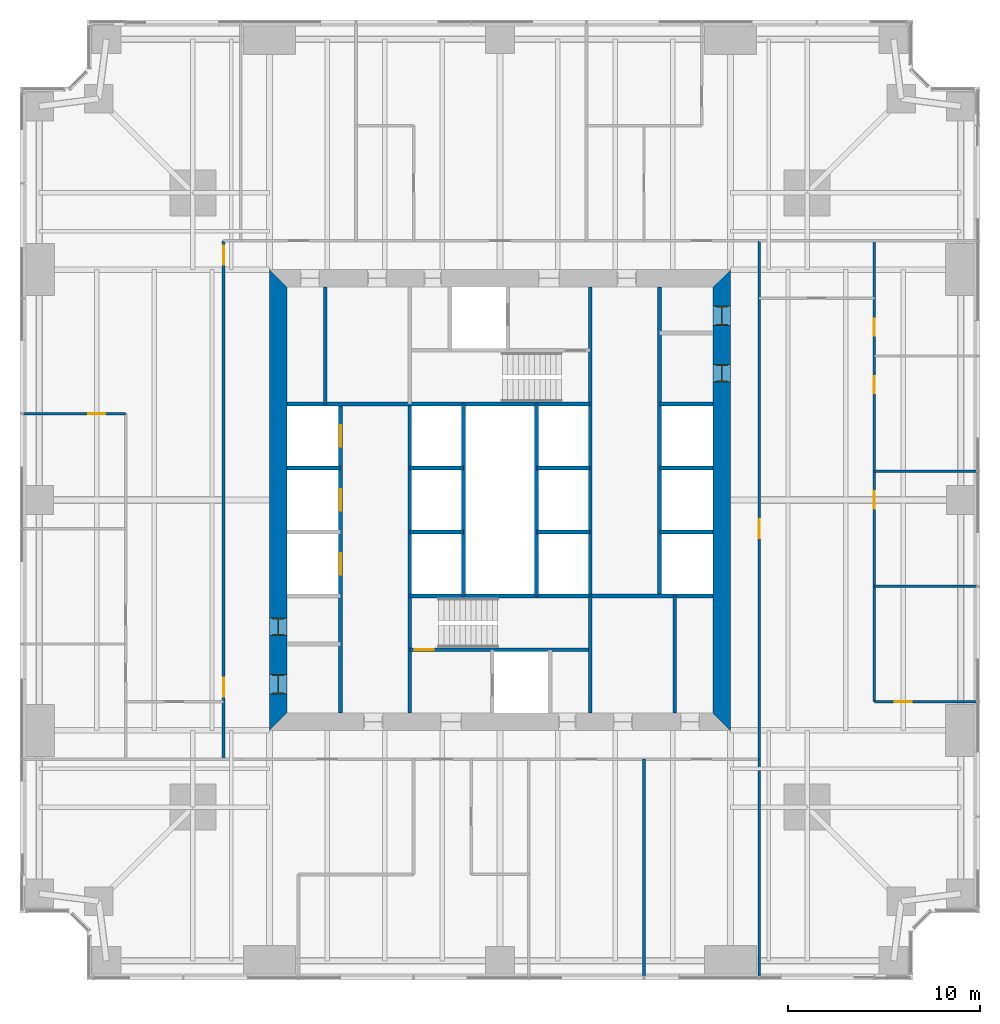
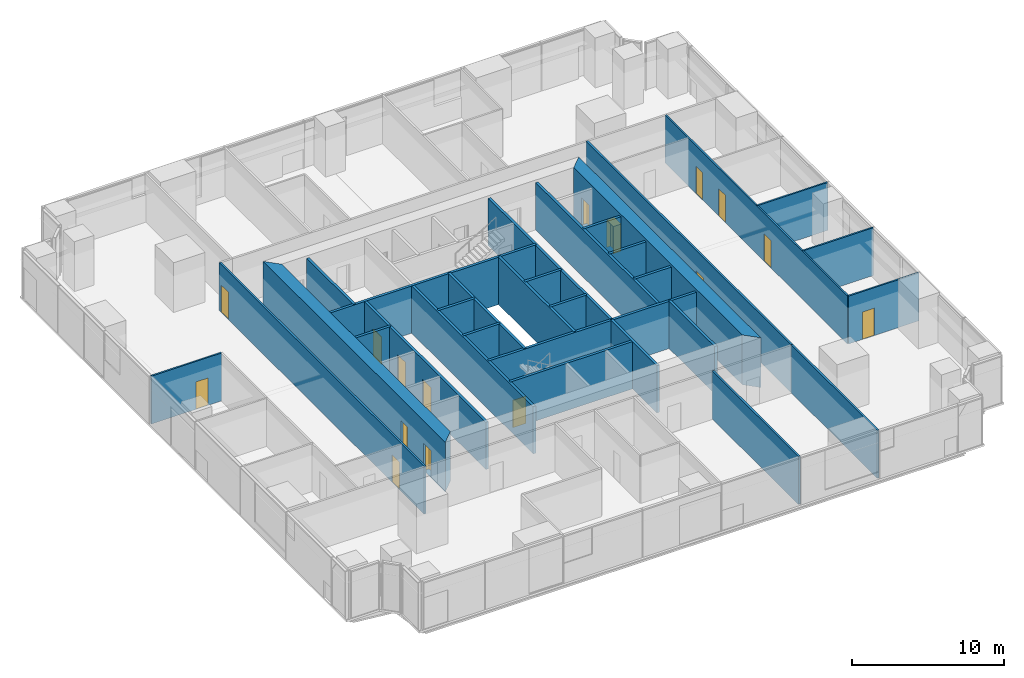
# One storey, part 10 of 14: 31 walls, 16 doors, 16 openings.
"""IFC4 building model written with IfcOpenShell, lengths in metres."""

from ifc_helpers import new_model, si_unit, direction, frame, frame_2d, origin, place, context, subcontext, project, spatial, polyline, rectangle, outline, extrude, material, layer, layer_set, type_object, element, fill, save


model = new_model("IFC4")

# Units and contexts
model_context = context("Model", 3, precision=1e-05, world=origin(), true_north=direction((0.0, 1.0)))
body_context = subcontext(model_context, "Body", "Model", "MODEL_VIEW")
ifc_project = project(units=[si_unit("LENGTHUNIT", "METRE"), si_unit("AREAUNIT", "SQUARE_METRE"), si_unit("VOLUMEUNIT", "CUBIC_METRE"), si_unit("PLANEANGLEUNIT", "RADIAN"), si_unit("MASSUNIT", "GRAM", prefix="KILO")], contexts=[model_context])

# Site, building, storey
site_placement = place(None, origin())
site = spatial("IfcSite", under=ifc_project, at=site_placement, CompositionType="ELEMENT")
building_placement = place(site_placement, origin())
building = spatial("IfcBuilding", under=site, at=building_placement, Name="Fenwick Lantern Interchange", CompositionType="ELEMENT")
storey_placement = place(building_placement, frame((0.0, 0.0, 35.0)))
storey = spatial("IfcBuildingStorey", under=building, at=storey_placement, Name="L07", CompositionType="ELEMENT", Elevation=35.0)

# Wall, openings, doors
ifc_material_1 = material(Name="Concrete masonry ASTM C90 Grade N", Category="masonry")
ifc_layer_1 = layer(ifc_material_1, 0.199951171875)
ifc_layer_set_1 = layer_set([ifc_layer_1], Name="Concrete masonry ASTM C90 Grade N")
wall_type_1 = type_object("IfcWallType", Name="CORE PARTITION 200", PredefinedType="PARTITIONING", material=ifc_layer_set_1)
wall_1_placement = place(storey_placement, frame((16.699951171875, 13.89990234375, 0.0), z_axis=(0.0, 0.0, 1.0), x_axis=(0.0, 1.0, 0.0)))
wall_1 = element("IfcWall", 1, at=wall_1_placement, inside=storey, type_object=wall_type_1, Name="L07/W/CORES/a", PredefinedType="PARTITIONING", context=body_context, shape_type="SweptSolid", body=[
    extrude(rectangle(XDim=16.10009765625, YDim=0.199951171875, at=frame_2d((8.050048828125, 0.0))), origin(), (0.0, 0.0, 1.0), 3.800048828125),
])
opening_1_placement = place(wall_1_placement, frame((7.216552734375, 0.0, 0.0)))
opening_1 = element("IfcOpeningElement", 2, at=opening_1_placement, cuts=wall_1, Name="Opening LD-W1-1", PredefinedType="OPENING", context=body_context, shape_type="SweptSolid", body=[
    extrude(rectangle(XDim=1.10009765625, YDim=2.199951171875, at=frame_2d((0.550048828125, 1.10009765625))), frame((0.0, 0.10986328125, 0.0), z_axis=(0.0, -1.0, 0.0), x_axis=(1.0, 0.0, 0.0)), (0.0, 0.0, 1.0), 0.219970703125),
])
opening_2_placement = place(wall_1_placement, frame((10.550048828125, 0.0, 0.0)))
opening_2 = element("IfcOpeningElement", 3, at=opening_2_placement, cuts=wall_1, Name="Opening LD-W1-2", PredefinedType="OPENING", context=body_context, shape_type="SweptSolid", body=[
    extrude(rectangle(XDim=1.10009765625, YDim=2.199951171875, at=frame_2d((0.550048828125, 1.10009765625))), frame((0.0, 0.10986328125, 0.0), z_axis=(0.0, -1.0, 0.0), x_axis=(1.0, 0.0, 0.0)), (0.0, 0.0, 1.0), 0.219970703125),
])
opening_3_placement = place(wall_1_placement, frame((13.88330078125, 0.0, 0.0)))
opening_3 = element("IfcOpeningElement", 4, at=opening_3_placement, cuts=wall_1, Name="Opening LD-W1-3", PredefinedType="OPENING", context=body_context, shape_type="SweptSolid", body=[
    extrude(rectangle(XDim=1.10009765625, YDim=2.199951171875, at=frame_2d((0.550048828125, 1.10009765625))), frame((0.0, 0.10986328125, 0.0), z_axis=(0.0, -1.0, 0.0), x_axis=(1.0, 0.0, 0.0)), (0.0, 0.0, 1.0), 0.219970703125),
])
ifc_material_2 = material(Name="Steel door and frame", Category="steel")
door_type_1 = type_object("IfcDoorType", Name="LIFT LANDING DOOR 1100 X 2200", OperationType="DOUBLE_DOOR_SLIDING", PredefinedType="DOOR", material=ifc_material_2)
door_1_placement = place(opening_1_placement, origin())
door_1 = element("IfcDoor", 5, at=door_1_placement, inside=storey, type_object=door_type_1, Name="Lift landing door W1-1", OperationType="DOUBLE_DOOR_SLIDING", OverallHeight=2.199951171875, OverallWidth=1.10009765625, PredefinedType="DOOR", context=body_context, shape_type="SweptSolid", body=[
    extrude(rectangle(XDim=1.10009765625, YDim=2.199951171875, at=frame_2d((0.550048828125, 1.10009765625))), frame((0.0, 0.02490234375, 0.0), z_axis=(0.0, -1.0, 0.0), x_axis=(1.0, 0.0, 0.0)), (0.0, 0.0, 1.0), 0.050048828125),
])
fill(opening_1, door_1)
door_2_placement = place(opening_2_placement, origin())
door_2 = element("IfcDoor", 6, at=door_2_placement, inside=storey, type_object=door_type_1, Name="Lift landing door W1-2", OperationType="DOUBLE_DOOR_SLIDING", OverallHeight=2.199951171875, OverallWidth=1.10009765625, PredefinedType="DOOR", context=body_context, shape_type="SweptSolid", body=[
    extrude(rectangle(XDim=1.10009765625, YDim=2.199951171875, at=frame_2d((0.550048828125, 1.10009765625))), frame((0.0, 0.02490234375, 0.0), z_axis=(0.0, -1.0, 0.0), x_axis=(1.0, 0.0, 0.0)), (0.0, 0.0, 1.0), 0.050048828125),
])
fill(opening_2, door_2)
door_3_placement = place(opening_3_placement, origin())
door_3 = element("IfcDoor", 7, at=door_3_placement, inside=storey, type_object=door_type_1, Name="Lift landing door W1-3", OperationType="DOUBLE_DOOR_SLIDING", OverallHeight=2.199951171875, OverallWidth=1.10009765625, PredefinedType="DOOR", context=body_context, shape_type="SweptSolid", body=[
    extrude(rectangle(XDim=1.10009765625, YDim=2.199951171875, at=frame_2d((0.550048828125, 1.10009765625))), frame((0.0, 0.02490234375, 0.0), z_axis=(0.0, -1.0, 0.0), x_axis=(1.0, 0.0, 0.0)), (0.0, 0.0, 1.0), 0.050048828125),
])
fill(opening_3, door_3)

# Walls
for number, where, z_axis, x_axis, name in (
    (8, (13.89990234375, 26.666748046875, 0.0), (0.0, 0.0, 1.0), (1.0, 0.0, 0.0), "L07/W/CORES/d2"),
    (9, (20.300048828125, 23.333251953125, 0.0), (0.0, 0.0, 1.0), (1.0, 0.0, 0.0), "L07/W/CORES/e1"),
    (10, (20.300048828125, 26.666748046875, 0.0), (0.0, 0.0, 1.0), (1.0, 0.0, 0.0), "L07/W/CORES/e2"),
):
    element("IfcWall", number, at=place(storey_placement, frame(where, z_axis=z_axis, x_axis=x_axis)), inside=storey, type_object=wall_type_1, Name=name, PredefinedType="PARTITIONING", context=body_context, shape_type="SweptSolid", body=[
        extrude(rectangle(XDim=2.800048828125, YDim=0.199951171875, at=frame_2d((1.39990234375, 0.0))), origin(), (0.0, 0.0, 1.0), 3.800048828125),
    ])
wall_2_placement = place(storey_placement, frame((23.10009765625, 20.0, 0.0), z_axis=(0.0, 0.0, 1.0), x_axis=(0.0, 1.0, 0.0)))
element("IfcWall", 11, at=wall_2_placement, inside=storey, type_object=wall_type_1, Name="L07/W/CORES/e3", PredefinedType="PARTITIONING", context=body_context, shape_type="SweptSolid", body=[
    extrude(rectangle(XDim=10.0, YDim=0.199951171875, at=frame_2d((5.0, 0.0))), origin(), (0.0, 0.0, 1.0), 3.800048828125),
])
wall_3_placement = place(storey_placement, frame((34.10009765625, 13.89990234375, 0.0), z_axis=(0.0, 0.0, 1.0), x_axis=(0.0, 1.0, 0.0)))
element("IfcWall", 12, at=wall_3_placement, inside=storey, type_object=wall_type_1, Name="L07/W/CORES/i2", PredefinedType="PARTITIONING", context=body_context, shape_type="SweptSolid", body=[
    extrude(rectangle(XDim=6.10009765625, YDim=0.199951171875, at=frame_2d((3.050048828125, 0.0))), origin(), (0.0, 0.0, 1.0), 3.800048828125),
])
wall_4_placement = place(storey_placement, frame((33.300048828125, 36.10009765625, 0.0), z_axis=(0.0, 0.0, 1.0), x_axis=(0.0, -1.0, 0.0)))
element("IfcWall", 13, at=wall_4_placement, inside=storey, type_object=wall_type_1, Name="L07/W/COREN/a", PredefinedType="PARTITIONING", context=body_context, shape_type="SweptSolid", body=[
    extrude(rectangle(XDim=16.10009765625, YDim=0.199951171875, at=frame_2d((8.050048828125, 0.0))), origin(), (0.0, 0.0, 1.0), 3.800048828125),
])
for number, where, z_axis, x_axis, name in (
    (14, (36.10009765625, 30.0, 0.0), (0.0, 0.0, 1.0), (-1.0, 0.0, 0.0), "L07/W/COREN/c2"),
    (15, (36.10009765625, 26.666748046875, 0.0), (0.0, 0.0, 1.0), (-1.0, 0.0, 0.0), "L07/W/COREN/d1"),
    (16, (36.10009765625, 23.333251953125, 0.0), (0.0, 0.0, 1.0), (-1.0, 0.0, 0.0), "L07/W/COREN/d2"),
    (17, (29.699951171875, 26.666748046875, 0.0), (0.0, 0.0, 1.0), (-1.0, 0.0, 0.0), "L07/W/COREN/e1"),
    (18, (29.699951171875, 23.333251953125, 0.0), (0.0, 0.0, 1.0), (-1.0, 0.0, 0.0), "L07/W/COREN/e2"),
):
    element("IfcWall", number, at=place(storey_placement, frame(where, z_axis=z_axis, x_axis=x_axis)), inside=storey, type_object=wall_type_1, Name=name, PredefinedType="PARTITIONING", context=body_context, shape_type="SweptSolid", body=[
        extrude(rectangle(XDim=2.800048828125, YDim=0.199951171875, at=frame_2d((1.39990234375, 0.0))), origin(), (0.0, 0.0, 1.0), 3.800048828125),
    ])
wall_5_placement = place(storey_placement, frame((26.89990234375, 30.0, 0.0), z_axis=(0.0, 0.0, 1.0), x_axis=(0.0, -1.0, 0.0)))
element("IfcWall", 19, at=wall_5_placement, inside=storey, type_object=wall_type_1, Name="L07/W/COREN/e3", PredefinedType="PARTITIONING", context=body_context, shape_type="SweptSolid", body=[
    extrude(rectangle(XDim=10.0, YDim=0.199951171875, at=frame_2d((5.0, 0.0))), origin(), (0.0, 0.0, 1.0), 3.800048828125),
])
wall_6_placement = place(storey_placement, frame((15.89990234375, 36.10009765625, 0.0), z_axis=(0.0, 0.0, 1.0), x_axis=(0.0, -1.0, 0.0)))
element("IfcWall", 20, at=wall_6_placement, inside=storey, type_object=wall_type_1, Name="L07/W/COREN/i2", PredefinedType="PARTITIONING", context=body_context, shape_type="SweptSolid", body=[
    extrude(rectangle(XDim=6.10009765625, YDim=0.199951171875, at=frame_2d((3.050048828125, 0.0))), origin(), (0.0, 0.0, 1.0), 3.800048828125),
])

# Wall, openings, doors
ifc_material_3 = material(Name="Concrete f'c 70 MPa", Category="concrete")
ifc_layer_2 = layer(ifc_material_3, 0.89990234375)
ifc_layer_set_2 = layer_set([ifc_layer_2], Name="CORE WALL 900")
wall_type_2 = type_object("IfcWallType", Name="CORE WALL 900", PredefinedType="SHEAR", material=ifc_layer_set_2)
wall_7_placement = place(storey_placement, frame((36.550048828125, 13.89990234375, 0.0), z_axis=(0.0, 0.0, 1.0), x_axis=(0.0, 1.0, 0.0)))
wall_7 = element("IfcWall", 21, at=wall_7_placement, inside=storey, type_object=wall_type_2, Name="L07/CORE/E", PredefinedType="SHEAR", context=body_context, shape_type="SweptSolid", body=[
    extrude(outline(polyline([(-0.89990234375, -0.449951171875), (23.10009765625, -0.449951171875), (22.199951171875, 0.449951171875), (0.0, 0.449951171875), (-0.89990234375, -0.449951171875)])), origin(), (0.0, 0.0, 1.0), 4.0),
])
opening_4_placement = place(wall_7_placement, frame((20.199951171875, 0.0, 0.0)))
opening_4 = element("IfcOpeningElement", 22, at=opening_4_placement, cuts=wall_7, Name="Opening L07-D015", PredefinedType="OPENING", context=body_context, shape_type="SweptSolid", body=[
    extrude(rectangle(XDim=1.0, YDim=2.199951171875, at=frame_2d((0.5, 1.10009765625))), frame((0.0, 0.4599609375, 0.0), z_axis=(0.0, -1.0, 0.0), x_axis=(1.0, 0.0, 0.0)), (0.0, 0.0, 1.0), 0.919921875),
])
opening_5_placement = place(wall_7_placement, frame((17.25, 0.0, 0.0)))
opening_5 = element("IfcOpeningElement", 23, at=opening_5_placement, cuts=wall_7, Name="Opening L07-D016", PredefinedType="OPENING", context=body_context, shape_type="SweptSolid", body=[
    extrude(rectangle(XDim=0.89990234375, YDim=2.199951171875, at=frame_2d((0.449951171875, 1.10009765625))), frame((0.0, 0.4599609375, 0.0), z_axis=(0.0, -1.0, 0.0), x_axis=(1.0, 0.0, 0.0)), (0.0, 0.0, 1.0), 0.919921875),
])
door_type_2 = type_object("IfcDoorType", Name="SERVICE DOOR 1000 X 2200", OperationType="SINGLE_SWING_LEFT", PredefinedType="DOOR", material=ifc_material_2)
door_4_placement = place(opening_4_placement, origin())
door_4 = element("IfcDoor", 24, at=door_4_placement, inside=storey, type_object=door_type_2, Name="Service door", OperationType="SINGLE_SWING_LEFT", OverallHeight=2.199951171875, OverallWidth=1.0, PredefinedType="DOOR", context=body_context, shape_type="SweptSolid", body=[
    extrude(rectangle(XDim=1.0, YDim=2.199951171875, at=frame_2d((0.5, 1.10009765625))), frame((0.0, 0.02490234375, 0.0), z_axis=(0.0, -1.0, 0.0), x_axis=(1.0, 0.0, 0.0)), (0.0, 0.0, 1.0), 0.050048828125),
    extrude(outline(polyline([(0.0, 0.0), (0.0400390625, 0.0), (0.0400390625, 2.159912109375), (0.9599609375, 2.159912109375), (0.9599609375, 0.0), (1.0, 0.0), (1.0, 2.199951171875), (0.0, 2.199951171875), (0.0, 0.0)])), frame((0.0, 0.300048828125, 0.0), z_axis=(0.0, -1.0, 0.0), x_axis=(1.0, 0.0, 0.0)), (0.0, 0.0, 1.0), 0.60009765625),
])
fill(opening_4, door_4)
door_type_3 = type_object("IfcDoorType", Name="SERVICE DOOR 900 X 2200", OperationType="SINGLE_SWING_LEFT", PredefinedType="DOOR", material=ifc_material_2)
door_5_placement = place(opening_5_placement, origin())
door_5 = element("IfcDoor", 25, at=door_5_placement, inside=storey, type_object=door_type_3, Name="Service door", OperationType="SINGLE_SWING_LEFT", OverallHeight=2.199951171875, OverallWidth=0.89990234375, PredefinedType="DOOR", context=body_context, shape_type="SweptSolid", body=[
    extrude(rectangle(XDim=0.89990234375, YDim=2.199951171875, at=frame_2d((0.449951171875, 1.10009765625))), frame((0.0, 0.02490234375, 0.0), z_axis=(0.0, -1.0, 0.0), x_axis=(1.0, 0.0, 0.0)), (0.0, 0.0, 1.0), 0.050048828125),
    extrude(outline(polyline([(0.0, 0.0), (0.0400390625, 0.0), (0.0400390625, 2.159912109375), (0.85986328125, 2.159912109375), (0.85986328125, 0.0), (0.89990234375, 0.0), (0.89990234375, 2.199951171875), (0.0, 2.199951171875), (0.0, 0.0)])), frame((0.0, 0.300048828125, 0.0), z_axis=(0.0, -1.0, 0.0), x_axis=(1.0, 0.0, 0.0)), (0.0, 0.0, 1.0), 0.60009765625),
])
fill(opening_5, door_5)

wall_8_placement = place(storey_placement, frame((13.449951171875, 36.10009765625, 0.0), z_axis=(0.0, 0.0, 1.0), x_axis=(0.0, -1.0, 0.0)))
wall_8 = element("IfcWall", 26, at=wall_8_placement, inside=storey, type_object=wall_type_2, Name="L07/CORE/W", PredefinedType="SHEAR", context=body_context, shape_type="SweptSolid", body=[
    extrude(outline(polyline([(-0.89990234375, -0.449951171875), (23.10009765625, -0.449951171875), (22.199951171875, 0.449951171875), (0.0, 0.449951171875), (-0.89990234375, -0.449951171875)])), origin(), (0.0, 0.0, 1.0), 4.0),
])
opening_6_placement = place(wall_8_placement, frame((20.199951171875, 0.0, 0.0)))
opening_6 = element("IfcOpeningElement", 27, at=opening_6_placement, cuts=wall_8, Name="Opening L07-D007", PredefinedType="OPENING", context=body_context, shape_type="SweptSolid", body=[
    extrude(rectangle(XDim=1.0, YDim=2.199951171875, at=frame_2d((0.5, 1.10009765625))), frame((0.0, 0.4599609375, 0.0), z_axis=(0.0, -1.0, 0.0), x_axis=(1.0, 0.0, 0.0)), (0.0, 0.0, 1.0), 0.919921875),
])
opening_7_placement = place(wall_8_placement, frame((17.25, 0.0, 0.0)))
opening_7 = element("IfcOpeningElement", 28, at=opening_7_placement, cuts=wall_8, Name="Opening L07-D008", PredefinedType="OPENING", context=body_context, shape_type="SweptSolid", body=[
    extrude(rectangle(XDim=0.89990234375, YDim=2.199951171875, at=frame_2d((0.449951171875, 1.10009765625))), frame((0.0, 0.4599609375, 0.0), z_axis=(0.0, -1.0, 0.0), x_axis=(1.0, 0.0, 0.0)), (0.0, 0.0, 1.0), 0.919921875),
])
door_6_placement = place(opening_7_placement, origin())
door_6 = element("IfcDoor", 29, at=door_6_placement, inside=storey, type_object=door_type_3, Name="Service door", OperationType="SINGLE_SWING_RIGHT", OverallHeight=2.199951171875, OverallWidth=0.89990234375, PredefinedType="DOOR", context=body_context, shape_type="SweptSolid", body=[
    extrude(rectangle(XDim=0.89990234375, YDim=2.199951171875, at=frame_2d((0.449951171875, 1.10009765625))), frame((0.0, 0.02490234375, 0.0), z_axis=(0.0, -1.0, 0.0), x_axis=(1.0, 0.0, 0.0)), (0.0, 0.0, 1.0), 0.050048828125),
    extrude(outline(polyline([(0.0, 0.0), (0.0400390625, 0.0), (0.0400390625, 2.159912109375), (0.85986328125, 2.159912109375), (0.85986328125, 0.0), (0.89990234375, 0.0), (0.89990234375, 2.199951171875), (0.0, 2.199951171875), (0.0, 0.0)])), frame((0.0, 0.300048828125, 0.0), z_axis=(0.0, -1.0, 0.0), x_axis=(1.0, 0.0, 0.0)), (0.0, 0.0, 1.0), 0.60009765625),
])
fill(opening_7, door_6)
ifc_material_4 = material(Name="Hardwood door and steel frame", Category="steel")
door_type_4 = type_object("IfcDoorType", Name="WC DOOR 1000 X 2200", OperationType="SINGLE_SWING_LEFT", PredefinedType="DOOR", material=ifc_material_4)
door_7_placement = place(opening_6_placement, origin())
door_7 = element("IfcDoor", 30, at=door_7_placement, inside=storey, type_object=door_type_4, Name="Wc door", OperationType="SINGLE_SWING_RIGHT", OverallHeight=2.199951171875, OverallWidth=1.0, PredefinedType="DOOR", context=body_context, shape_type="SweptSolid", body=[
    extrude(rectangle(XDim=1.0, YDim=2.199951171875, at=frame_2d((0.5, 1.10009765625))), frame((0.0, 0.02490234375, 0.0), z_axis=(0.0, -1.0, 0.0), x_axis=(1.0, 0.0, 0.0)), (0.0, 0.0, 1.0), 0.050048828125),
    extrude(outline(polyline([(0.0, 0.0), (0.0400390625, 0.0), (0.0400390625, 2.159912109375), (0.9599609375, 2.159912109375), (0.9599609375, 0.0), (1.0, 0.0), (1.0, 2.199951171875), (0.0, 2.199951171875), (0.0, 0.0)])), frame((0.0, 0.300048828125, 0.0), z_axis=(0.0, -1.0, 0.0), x_axis=(1.0, 0.0, 0.0)), (0.0, 0.0, 1.0), 0.60009765625),
])
fill(opening_6, door_7)

# Wall, opening, door
ifc_material_5 = material(Name="Gypsum board on steel studs, 1 hour", Category="steel")
ifc_layer_3 = layer(ifc_material_5, 0.14990234375)
ifc_layer_set_3 = layer_set([ifc_layer_3], Name="CORRIDOR WALL 150")
wall_type_3 = type_object("IfcWallType", Name="CORRIDOR WALL 150", PredefinedType="PARTITIONING", material=ifc_layer_set_3)
wall_9_placement = place(storey_placement, frame((38.5, 11.5, 0.0), z_axis=(0.0, 0.0, 1.0), x_axis=(0.0, 1.0, 0.0)))
wall_9 = element("IfcWall", 31, at=wall_9_placement, inside=storey, type_object=wall_type_3, Name="L07/W/OFF/E/CW", PredefinedType="PARTITIONING", context=body_context, shape_type="SweptSolid", body=[
    extrude(rectangle(XDim=27.0, YDim=0.14990234375, at=frame_2d((13.5, 0.0))), origin(), (0.0, 0.0, 1.0), 3.85009765625),
])
opening_8_placement = place(wall_9_placement, frame((11.5, 0.0, 0.0)))
opening_8 = element("IfcOpeningElement", 32, at=opening_8_placement, cuts=wall_9, Name="Opening L07-D022", PredefinedType="OPENING", context=body_context, shape_type="SweptSolid", body=[
    extrude(rectangle(XDim=1.0, YDim=2.199951171875, at=frame_2d((0.5, 1.10009765625))), frame((0.0, 0.0849609375, 0.0), z_axis=(0.0, -1.0, 0.0), x_axis=(1.0, 0.0, 0.0)), (0.0, 0.0, 1.0), 0.169921875),
])
door_type_5 = type_object("IfcDoorType", Name="SUITE ENTRANCE DOOR 1000 X 2200", OperationType="SINGLE_SWING_LEFT", PredefinedType="DOOR", material=ifc_material_2)
door_8_placement = place(opening_8_placement, frame((1.0, 0.0, 0.0), z_axis=(0.0, 0.0, 1.0), x_axis=(-1.0, 0.0, 0.0)))
door_8 = element("IfcDoor", 33, at=door_8_placement, inside=storey, type_object=door_type_5, Name="Suite entrance door", OperationType="SINGLE_SWING_LEFT", OverallHeight=2.199951171875, OverallWidth=1.0, PredefinedType="DOOR", context=body_context, shape_type="SweptSolid", body=[
    extrude(rectangle(XDim=1.0, YDim=2.199951171875, at=frame_2d((0.5, 1.10009765625))), frame((0.0, 0.02490234375, 0.0), z_axis=(0.0, -1.0, 0.0), x_axis=(1.0, 0.0, 0.0)), (0.0, 0.0, 1.0), 0.050048828125),
])
fill(opening_8, door_8)

# Wall, openings, doors
wall_10_placement = place(storey_placement, frame((10.60009765625, 38.5, 0.0), z_axis=(0.0, 0.0, 1.0), x_axis=(0.0, -1.0, 0.0)))
wall_10 = element("IfcWall", 34, at=wall_10_placement, inside=storey, type_object=wall_type_3, Name="L07/W/OFF/W/CW2", PredefinedType="PARTITIONING", context=body_context, shape_type="SweptSolid", body=[
    extrude(rectangle(XDim=27.0, YDim=0.14990234375, at=frame_2d((13.5, 0.0))), origin(), (0.0, 0.0, 1.0), 3.85009765625),
])
opening_9_placement = place(wall_10_placement, frame((0.25, 0.0, 0.0)))
opening_9 = element("IfcOpeningElement", 35, at=opening_9_placement, cuts=wall_10, Name="Opening L07-D034", PredefinedType="OPENING", context=body_context, shape_type="SweptSolid", body=[
    extrude(rectangle(XDim=1.0, YDim=2.199951171875, at=frame_2d((0.5, 1.10009765625))), frame((0.0, 0.0849609375, 0.0), z_axis=(0.0, -1.0, 0.0), x_axis=(1.0, 0.0, 0.0)), (0.0, 0.0, 1.0), 0.169921875),
])
opening_10_placement = place(wall_10_placement, frame((22.75, 0.0, 0.0)))
opening_10 = element("IfcOpeningElement", 36, at=opening_10_placement, cuts=wall_10, Name="Opening L07-D035", PredefinedType="OPENING", context=body_context, shape_type="SweptSolid", body=[
    extrude(rectangle(XDim=1.0, YDim=2.199951171875, at=frame_2d((0.5, 1.10009765625))), frame((0.0, 0.0849609375, 0.0), z_axis=(0.0, -1.0, 0.0), x_axis=(1.0, 0.0, 0.0)), (0.0, 0.0, 1.0), 0.169921875),
])
door_9_placement = place(opening_9_placement, origin())
door_9 = element("IfcDoor", 37, at=door_9_placement, inside=storey, type_object=door_type_5, Name="Suite entrance door", OperationType="SINGLE_SWING_LEFT", OverallHeight=2.199951171875, OverallWidth=1.0, PredefinedType="DOOR", context=body_context, shape_type="SweptSolid", body=[
    extrude(rectangle(XDim=1.0, YDim=2.199951171875, at=frame_2d((0.5, 1.10009765625))), frame((0.0, 0.02490234375, 0.0), z_axis=(0.0, -1.0, 0.0), x_axis=(1.0, 0.0, 0.0)), (0.0, 0.0, 1.0), 0.050048828125),
])
fill(opening_9, door_9)
door_10_placement = place(opening_10_placement, origin())
door_10 = element("IfcDoor", 38, at=door_10_placement, inside=storey, type_object=door_type_5, Name="Suite entrance door", OperationType="SINGLE_SWING_RIGHT", OverallHeight=2.199951171875, OverallWidth=1.0, PredefinedType="DOOR", context=body_context, shape_type="SweptSolid", body=[
    extrude(rectangle(XDim=1.0, YDim=2.199951171875, at=frame_2d((0.5, 1.10009765625))), frame((0.0, 0.02490234375, 0.0), z_axis=(0.0, -1.0, 0.0), x_axis=(1.0, 0.0, 0.0)), (0.0, 0.0, 1.0), 0.050048828125),
])
fill(opening_10, door_10)

# Wall, opening, door
ifc_material_6 = material(Name="Gypsum board on steel studs, acoustic", Category="steel")
ifc_layer_4 = layer(ifc_material_6, 0.125)
ifc_layer_set_4 = layer_set([ifc_layer_4], Name="OFFICE PARTITION 125")
wall_type_4 = type_object("IfcWallType", Name="OFFICE PARTITION 125", PredefinedType="PARTITIONING", material=ifc_layer_set_4)
wall_11_placement = place(storey_placement, frame((49.85009765625, 14.5, 0.0), z_axis=(0.0, 0.0, 1.0), x_axis=(-1.0, 0.0, 0.0)))
wall_11 = element("IfcWall", 39, at=wall_11_placement, inside=storey, type_object=wall_type_4, Name="L07/W/OFF/E/X145-1", PredefinedType="PARTITIONING", context=body_context, shape_type="SweptSolid", body=[
    extrude(rectangle(XDim=5.35009765625, YDim=0.125, at=frame_2d((2.675048828125, 0.0))), origin(), (0.0, 0.0, 1.0), 3.85009765625),
])
opening_11_placement = place(wall_11_placement, frame((3.39990234375, 0.0, 0.0)))
opening_11 = element("IfcOpeningElement", 40, at=opening_11_placement, cuts=wall_11, Name="Opening L07-D023", PredefinedType="OPENING", context=body_context, shape_type="SweptSolid", body=[
    extrude(rectangle(XDim=0.89990234375, YDim=2.199951171875, at=frame_2d((0.449951171875, 1.10009765625))), frame((0.0, 0.072509765625, 0.0), z_axis=(0.0, -1.0, 0.0), x_axis=(1.0, 0.0, 0.0)), (0.0, 0.0, 1.0), 0.14501953125),
])
door_type_6 = type_object("IfcDoorType", Name="OFFICE DOOR 900 X 2200", OperationType="SINGLE_SWING_LEFT", PredefinedType="DOOR", material=ifc_material_4)
door_11_placement = place(opening_11_placement, frame((0.89990234375, 0.0, 0.0), z_axis=(0.0, 0.0, 1.0), x_axis=(-1.0, 0.0, 0.0)))
door_11 = element("IfcDoor", 41, at=door_11_placement, inside=storey, type_object=door_type_6, Name="Office door", OperationType="SINGLE_SWING_LEFT", OverallHeight=2.199951171875, OverallWidth=0.89990234375, PredefinedType="DOOR", context=body_context, shape_type="SweptSolid", body=[
    extrude(rectangle(XDim=0.89990234375, YDim=2.199951171875, at=frame_2d((0.449951171875, 1.10009765625))), frame((0.0, 0.02490234375, 0.0), z_axis=(0.0, -1.0, 0.0), x_axis=(1.0, 0.0, 0.0)), (0.0, 0.0, 1.0), 0.050048828125),
])
fill(opening_11, door_11)

# Walls
for number, where, z_axis, x_axis, name in (
    (42, (49.85009765625, 20.5, 0.0), (0.0, 0.0, 1.0), (-1.0, 0.0, 0.0), "L07/W/OFF/E/X205-1"),
    (43, (49.85009765625, 26.5, 0.0), (0.0, 0.0, 1.0), (-1.0, 0.0, 0.0), "L07/W/OFF/E/X265-1"),
):
    element("IfcWall", number, at=place(storey_placement, frame(where, z_axis=z_axis, x_axis=x_axis)), inside=storey, type_object=wall_type_4, Name=name, PredefinedType="PARTITIONING", context=body_context, shape_type="SweptSolid", body=[
        extrude(rectangle(XDim=5.35009765625, YDim=0.125, at=frame_2d((2.675048828125, 0.0))), origin(), (0.0, 0.0, 1.0), 3.85009765625),
    ])

# Wall, openings, doors
wall_12_placement = place(storey_placement, frame((44.5, 14.5, 0.0), z_axis=(0.0, 0.0, 1.0), x_axis=(0.0, 1.0, 0.0)))
wall_12 = element("IfcWall", 44, at=wall_12_placement, inside=storey, type_object=wall_type_4, Name="L07/W/OFF/E/Y55-1", PredefinedType="PARTITIONING", context=body_context, shape_type="SweptSolid", body=[
    extrude(rectangle(XDim=24.0, YDim=0.125, at=frame_2d((12.0, 0.0))), origin(), (0.0, 0.0, 1.0), 3.85009765625),
])
opening_12_placement = place(wall_12_placement, frame((10.050048828125, 0.0, 0.0)))
opening_12 = element("IfcOpeningElement", 45, at=opening_12_placement, cuts=wall_12, Name="Opening L07-D024", PredefinedType="OPENING", context=body_context, shape_type="SweptSolid", body=[
    extrude(rectangle(XDim=0.89990234375, YDim=2.199951171875, at=frame_2d((0.449951171875, 1.10009765625))), frame((0.0, 0.072509765625, 0.0), z_axis=(0.0, -1.0, 0.0), x_axis=(1.0, 0.0, 0.0)), (0.0, 0.0, 1.0), 0.14501953125),
])
opening_13_placement = place(wall_12_placement, frame((16.050048828125, 0.0, 0.0)))
opening_13 = element("IfcOpeningElement", 46, at=opening_13_placement, cuts=wall_12, Name="Opening L07-D025", PredefinedType="OPENING", context=body_context, shape_type="SweptSolid", body=[
    extrude(rectangle(XDim=0.89990234375, YDim=2.199951171875, at=frame_2d((0.449951171875, 1.10009765625))), frame((0.0, 0.072509765625, 0.0), z_axis=(0.0, -1.0, 0.0), x_axis=(1.0, 0.0, 0.0)), (0.0, 0.0, 1.0), 0.14501953125),
])
opening_14_placement = place(wall_12_placement, frame((19.050048828125, 0.0, 0.0)))
opening_14 = element("IfcOpeningElement", 47, at=opening_14_placement, cuts=wall_12, Name="Opening L07-D026", PredefinedType="OPENING", context=body_context, shape_type="SweptSolid", body=[
    extrude(rectangle(XDim=0.89990234375, YDim=2.199951171875, at=frame_2d((0.449951171875, 1.10009765625))), frame((0.0, 0.072509765625, 0.0), z_axis=(0.0, -1.0, 0.0), x_axis=(1.0, 0.0, 0.0)), (0.0, 0.0, 1.0), 0.14501953125),
])
door_12_placement = place(opening_12_placement, frame((0.89990234375, 0.0, 0.0), z_axis=(0.0, 0.0, 1.0), x_axis=(-1.0, 0.0, 0.0)))
door_12 = element("IfcDoor", 48, at=door_12_placement, inside=storey, type_object=door_type_6, Name="Office door", OperationType="SINGLE_SWING_LEFT", OverallHeight=2.199951171875, OverallWidth=0.89990234375, PredefinedType="DOOR", context=body_context, shape_type="SweptSolid", body=[
    extrude(rectangle(XDim=0.89990234375, YDim=2.199951171875, at=frame_2d((0.449951171875, 1.10009765625))), frame((0.0, 0.02490234375, 0.0), z_axis=(0.0, -1.0, 0.0), x_axis=(1.0, 0.0, 0.0)), (0.0, 0.0, 1.0), 0.050048828125),
])
fill(opening_12, door_12)
door_13_placement = place(opening_13_placement, frame((0.89990234375, 0.0, 0.0), z_axis=(0.0, 0.0, 1.0), x_axis=(-1.0, 0.0, 0.0)))
door_13 = element("IfcDoor", 49, at=door_13_placement, inside=storey, type_object=door_type_6, Name="Office door", OperationType="SINGLE_SWING_LEFT", OverallHeight=2.199951171875, OverallWidth=0.89990234375, PredefinedType="DOOR", context=body_context, shape_type="SweptSolid", body=[
    extrude(rectangle(XDim=0.89990234375, YDim=2.199951171875, at=frame_2d((0.449951171875, 1.10009765625))), frame((0.0, 0.02490234375, 0.0), z_axis=(0.0, -1.0, 0.0), x_axis=(1.0, 0.0, 0.0)), (0.0, 0.0, 1.0), 0.050048828125),
])
fill(opening_13, door_13)
door_14_placement = place(opening_14_placement, frame((0.89990234375, 0.0, 0.0), z_axis=(0.0, 0.0, 1.0), x_axis=(-1.0, 0.0, 0.0)))
door_14 = element("IfcDoor", 50, at=door_14_placement, inside=storey, type_object=door_type_6, Name="Office door", OperationType="SINGLE_SWING_RIGHT", OverallHeight=2.199951171875, OverallWidth=0.89990234375, PredefinedType="DOOR", context=body_context, shape_type="SweptSolid", body=[
    extrude(rectangle(XDim=0.89990234375, YDim=2.199951171875, at=frame_2d((0.449951171875, 1.10009765625))), frame((0.0, 0.02490234375, 0.0), z_axis=(0.0, -1.0, 0.0), x_axis=(1.0, 0.0, 0.0)), (0.0, 0.0, 1.0), 0.050048828125),
])
fill(opening_14, door_14)

# Wall, opening, door
wall_13_placement = place(storey_placement, frame((0.14990234375, 29.5, 0.0), z_axis=(0.0, 0.0, 1.0), x_axis=(1.0, 0.0, 0.0)))
wall_13 = element("IfcWall", 51, at=wall_13_placement, inside=storey, type_object=wall_type_4, Name="L07/W/OFF/W/X205-1", PredefinedType="PARTITIONING", context=body_context, shape_type="SweptSolid", body=[
    extrude(rectangle(XDim=5.35009765625, YDim=0.125, at=frame_2d((2.675048828125, 0.0))), origin(), (0.0, 0.0, 1.0), 3.85009765625),
])
opening_15_placement = place(wall_13_placement, frame((3.39990234375, 0.0, 0.0)))
opening_15 = element("IfcOpeningElement", 52, at=opening_15_placement, cuts=wall_13, Name="Opening L07-D036", PredefinedType="OPENING", context=body_context, shape_type="SweptSolid", body=[
    extrude(rectangle(XDim=0.89990234375, YDim=2.199951171875, at=frame_2d((0.449951171875, 1.10009765625))), frame((0.0, 0.072509765625, 0.0), z_axis=(0.0, -1.0, 0.0), x_axis=(1.0, 0.0, 0.0)), (0.0, 0.0, 1.0), 0.14501953125),
])
door_15_placement = place(opening_15_placement, frame((0.89990234375, 0.0, 0.0), z_axis=(0.0, 0.0, 1.0), x_axis=(-1.0, 0.0, 0.0)))
door_15 = element("IfcDoor", 53, at=door_15_placement, inside=storey, type_object=door_type_6, Name="Office door", OperationType="SINGLE_SWING_LEFT", OverallHeight=2.199951171875, OverallWidth=0.89990234375, PredefinedType="DOOR", context=body_context, shape_type="SweptSolid", body=[
    extrude(rectangle(XDim=0.89990234375, YDim=2.199951171875, at=frame_2d((0.449951171875, 1.10009765625))), frame((0.0, 0.02490234375, 0.0), z_axis=(0.0, -1.0, 0.0), x_axis=(1.0, 0.0, 0.0)), (0.0, 0.0, 1.0), 0.050048828125),
])
fill(opening_15, door_15)

# Wall
ifc_material_7 = material(Name="Concrete f'c 45 MPa", Category="concrete")
ifc_layer_5 = layer(ifc_material_7, 0.199951171875)
ifc_layer_set_5 = layer_set([ifc_layer_5], Name="STAIR CORE WALL 200")
wall_type_5 = type_object("IfcWallType", Name="STAIR CORE WALL 200", PredefinedType="SOLIDWALL", material=ifc_layer_set_5)
wall_14_placement = place(storey_placement, frame((20.300048828125, 13.89990234375, 0.0), z_axis=(0.0, 0.0, 1.0), x_axis=(0.0, 1.0, 0.0)))
element("IfcWall", 54, at=wall_14_placement, inside=storey, type_object=wall_type_5, Name="L07/W/CORES/b", PredefinedType="SOLIDWALL", context=body_context, shape_type="SweptSolid", body=[
    extrude(rectangle(XDim=16.10009765625, YDim=0.199951171875, at=frame_2d((8.050048828125, 0.0))), origin(), (0.0, 0.0, 1.0), 3.800048828125),
])

# Wall, opening, door
wall_15_placement = place(storey_placement, frame((20.300048828125, 17.199951171875, 0.0), z_axis=(0.0, 0.0, 1.0), x_axis=(1.0, 0.0, 0.0)))
wall_15 = element("IfcWall", 55, at=wall_15_placement, inside=storey, type_object=wall_type_5, Name="L07/W/CORES/g1", PredefinedType="SOLIDWALL", context=body_context, shape_type="SweptSolid", body=[
    extrude(rectangle(XDim=9.39990234375, YDim=0.199951171875, at=frame_2d((4.699951171875, 0.0))), origin(), (0.0, 0.0, 1.0), 3.800048828125),
])
opening_16_placement = place(wall_15_placement, frame((0.25, 0.0, 0.0)))
opening_16 = element("IfcOpeningElement", 56, at=opening_16_placement, cuts=wall_15, Name="Opening L07-D003", PredefinedType="OPENING", context=body_context, shape_type="SweptSolid", body=[
    extrude(rectangle(XDim=1.0, YDim=2.199951171875, at=frame_2d((0.5, 1.10009765625))), frame((0.0, 0.10986328125, 0.0), z_axis=(0.0, -1.0, 0.0), x_axis=(1.0, 0.0, 0.0)), (0.0, 0.0, 1.0), 0.219970703125),
])
door_type_7 = type_object("IfcDoorType", Name="STAIR DOOR 1000 X 2200", OperationType="SINGLE_SWING_LEFT", PredefinedType="DOOR", material=ifc_material_2)
door_16_placement = place(opening_16_placement, origin())
door_16 = element("IfcDoor", 57, at=door_16_placement, inside=storey, type_object=door_type_7, Name="Stair door", OperationType="SINGLE_SWING_LEFT", OverallHeight=2.199951171875, OverallWidth=1.0, PredefinedType="DOOR", context=body_context, shape_type="SweptSolid", body=[
    extrude(rectangle(XDim=1.0, YDim=2.199951171875, at=frame_2d((0.5, 1.10009765625))), frame((0.0, 0.02490234375, 0.0), z_axis=(0.0, -1.0, 0.0), x_axis=(1.0, 0.0, 0.0)), (0.0, 0.0, 1.0), 0.050048828125),
])
fill(opening_16, door_16)

# Walls
wall_16_placement = place(storey_placement, frame((20.300048828125, 20.0, 0.0), z_axis=(0.0, 0.0, 1.0), x_axis=(1.0, 0.0, 0.0)))
element("IfcWall", 58, at=wall_16_placement, inside=storey, type_object=wall_type_5, Name="L07/W/CORES/g2", PredefinedType="SOLIDWALL", context=body_context, shape_type="SweptSolid", body=[
    extrude(rectangle(XDim=15.800048828125, YDim=0.199951171875, at=frame_2d((7.89990234375, 0.0))), origin(), (0.0, 0.0, 1.0), 3.800048828125),
])
wall_17_placement = place(storey_placement, frame((29.699951171875, 13.89990234375, 0.0), z_axis=(0.0, 0.0, 1.0), x_axis=(0.0, 1.0, 0.0)))
element("IfcWall", 59, at=wall_17_placement, inside=storey, type_object=wall_type_5, Name="L07/W/CORES/i1", PredefinedType="SOLIDWALL", context=body_context, shape_type="SweptSolid", body=[
    extrude(rectangle(XDim=6.10009765625, YDim=0.199951171875, at=frame_2d((3.050048828125, 0.0))), origin(), (0.0, 0.0, 1.0), 3.800048828125),
])
wall_18_placement = place(storey_placement, frame((29.699951171875, 36.10009765625, 0.0), z_axis=(0.0, 0.0, 1.0), x_axis=(0.0, -1.0, 0.0)))
element("IfcWall", 60, at=wall_18_placement, inside=storey, type_object=wall_type_5, Name="L07/W/COREN/b", PredefinedType="SOLIDWALL", context=body_context, shape_type="SweptSolid", body=[
    extrude(rectangle(XDim=16.10009765625, YDim=0.199951171875, at=frame_2d((8.050048828125, 0.0))), origin(), (0.0, 0.0, 1.0), 3.800048828125),
])
wall_19_placement = place(storey_placement, frame((29.699951171875, 30.0, 0.0), z_axis=(0.0, 0.0, 1.0), x_axis=(-1.0, 0.0, 0.0)))
element("IfcWall", 61, at=wall_19_placement, inside=storey, type_object=wall_type_5, Name="L07/W/COREN/g2", PredefinedType="SOLIDWALL", context=body_context, shape_type="SweptSolid", body=[
    extrude(rectangle(XDim=15.800048828125, YDim=0.199951171875, at=frame_2d((7.89990234375, 0.0))), origin(), (0.0, 0.0, 1.0), 3.800048828125),
])
ifc_material_8 = material(Name="Gypsum board on steel studs, 1 hour acoustic", Category="steel")
ifc_layer_6 = layer(ifc_material_8, 0.14990234375)
ifc_layer_set_6 = layer_set([ifc_layer_6], Name="TENANT WALL 150")
wall_type_6 = type_object("IfcWallType", Name="TENANT WALL 150", PredefinedType="PARTITIONING", material=ifc_layer_set_6)
for number, where, z_axis, x_axis, name in (
    (62, (32.5, 0.14990234375, 0.0), (0.0, 0.0, 1.0), (0.0, 1.0, 0.0), "L07/W/OFF/S/X325-1"),
    (63, (38.5, 0.14990234375, 0.0), (0.0, 0.0, 1.0), (0.0, 1.0, 0.0), "L07/W/OFF/E/BACK"),
):
    element("IfcWall", number, at=place(storey_placement, frame(where, z_axis=z_axis, x_axis=x_axis)), inside=storey, type_object=wall_type_6, Name=name, PredefinedType="PARTITIONING", context=body_context, shape_type="SweptSolid", body=[
        extrude(rectangle(XDim=11.35009765625, YDim=0.14990234375, at=frame_2d((5.675048828125, 0.0))), origin(), (0.0, 0.0, 1.0), 3.85009765625),
    ])

save(model, "model.ifc")
